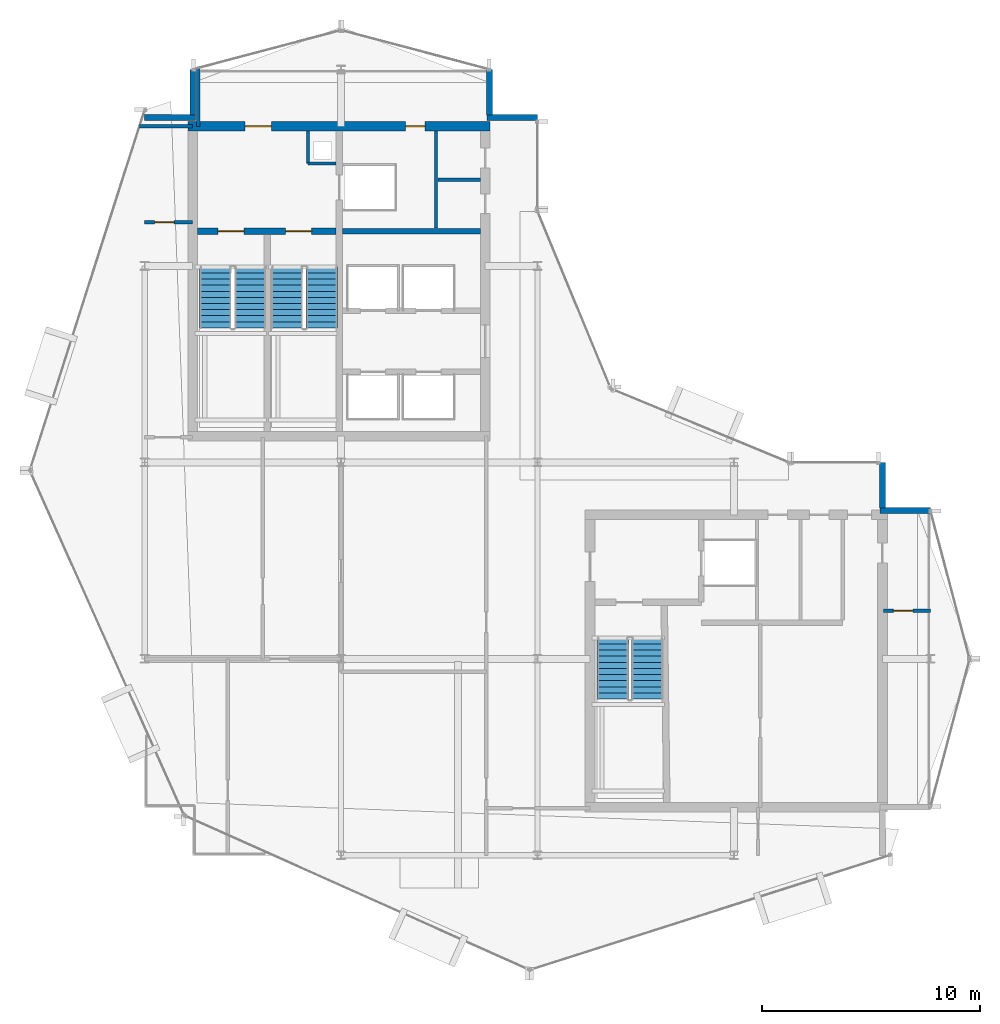
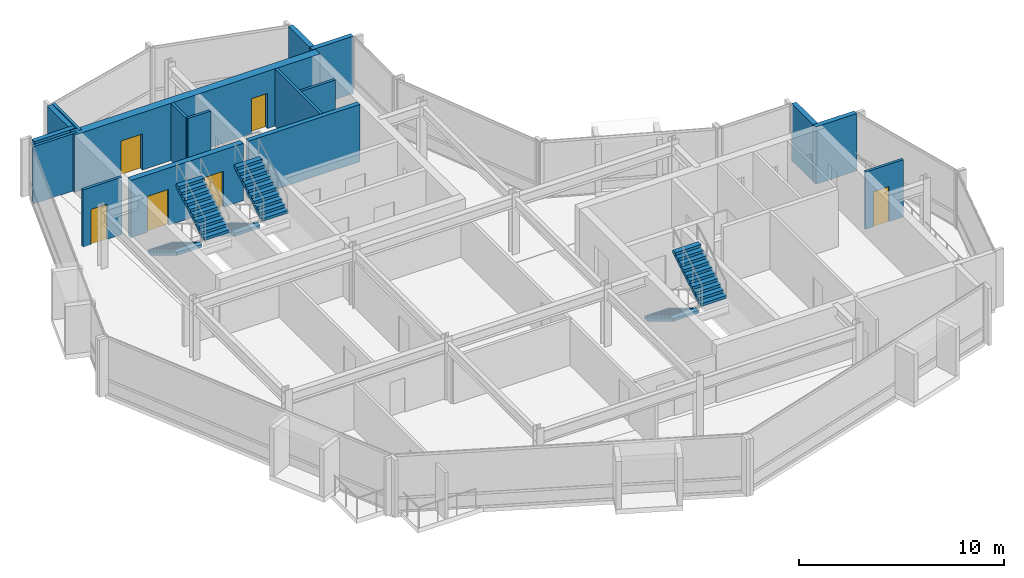
# One storey, part 15 of 19: 17 walls, 6 doors, 6 stair flights, 6 openings, 3 elements without a shape of their own.
"""IFC4 building model written with IfcOpenShell, lengths in metres."""

import ifcopenshell
import ifcopenshell.guid

model = None  # the IFC model being written
_history = None  # IfcOwnerHistory: only IFC2X3 demands one
_inside = {}  # id of a spatial element -> (the spatial element, [elements in it])
_under = {}  # id of a project, library or spatial element -> (it, [spatial elements below it])
_declared = {}  # id of a project -> (the project, [libraries it declares])
_typed = {}  # id of a type object -> (the type object, [elements of that type])
_made_of = {}  # id of a material, layer set ... -> (it, [elements and type objects made of it])


def new_model(schema):
    """Start an empty IFC model of exactly this schema.

    Asked for "IFC4X3", IfcOpenShell would pick the latest addendum, in which some entities
    have other attributes; the version numbers below select the first issue.
    IFC2X3 requires an IfcOwnerHistory on every rooted entity: one is made here for all.
    """
    global model, _history
    if schema == "IFC4X3":
        model = ifcopenshell.file(schema_version=(4, 3, 0, 0))
    else:
        model = ifcopenshell.file(schema=schema)
    _inside.clear()
    _under.clear()
    _declared.clear()
    _typed.clear()
    _made_of.clear()
    _history = None
    if model.schema == "IFC2X3":
        org = make("IfcOrganization", Name="unknown")
        user = make(
            "IfcPersonAndOrganization",
            ThePerson=make("IfcPerson", FamilyName="unknown"),
            TheOrganization=org,
        )
        app = make(
            "IfcApplication",
            ApplicationDeveloper=org,
            Version="unknown",
            ApplicationFullName="unknown",
            ApplicationIdentifier="unknown",
        )
        _history = make(
            "IfcOwnerHistory",
            OwningUser=user,
            OwningApplication=app,
            ChangeAction="ADDED",
            CreationDate=0,
        )
    return model


def make(cls, **values):
    """One entity of the class cls with the attributes given. An attribute that is None is left unset."""
    return model.create_entity(
        cls, **{name: value for name, value in values.items() if value is not None}
    )


def rooted(cls, **values):
    """An entity with a GlobalId (a new one), such as an element, a storey or a relation."""
    return make(cls, GlobalId=ifcopenshell.guid.new(), OwnerHistory=_history, **values)


def si_unit(unit_type, name, prefix=None):
    """IfcSIUnit, for example si_unit("LENGTHUNIT", "METRE", prefix="MILLI")."""
    return make("IfcSIUnit", UnitType=unit_type, Prefix=prefix, Name=name)


def assignment(units):
    """IfcUnitAssignment: the units of a project."""
    return None if units is None else make("IfcUnitAssignment", Units=units)


def point(xyz):
    """IfcCartesianPoint."""
    return None if xyz is None else make("IfcCartesianPoint", Coordinates=xyz)


def direction(xyz):
    """IfcDirection."""
    return None if xyz is None else make("IfcDirection", DirectionRatios=xyz)


def frame(location, z_axis=None, x_axis=None):
    """IfcAxis2Placement3D, a coordinate frame: its origin and axes. An axis left out is left unset."""
    return make(
        "IfcAxis2Placement3D",
        Location=point(location),
        Axis=direction(z_axis),
        RefDirection=direction(x_axis),
    )


def frame_2d(location, x_axis=None):
    """IfcAxis2Placement2D, a coordinate frame in the plane: its origin and x axis."""
    return make(
        "IfcAxis2Placement2D", Location=point(location), RefDirection=direction(x_axis)
    )


def origin():
    """The frame at (0, 0, 0) with its axes left unset."""
    return frame((0.0, 0.0, 0.0))


def place(relative_to, where):
    """IfcLocalPlacement: puts the frame where relative to a parent placement (None: the world)."""
    return make(
        "IfcLocalPlacement", PlacementRelTo=relative_to, RelativePlacement=where
    )


def context(
    kind, dimensions, precision=None, world=None, true_north=None, identifier=None
):
    """IfcGeometricRepresentationContext, for example the 3D "Model" context."""
    return make(
        "IfcGeometricRepresentationContext",
        ContextIdentifier=identifier,
        ContextType=kind,
        CoordinateSpaceDimension=dimensions,
        Precision=precision,
        WorldCoordinateSystem=world,
        TrueNorth=true_north,
    )


def subcontext(parent, identifier, kind, view, scale=None):
    """IfcGeometricRepresentationSubContext, for example "Body" below "Model"."""
    return make(
        "IfcGeometricRepresentationSubContext",
        ContextIdentifier=identifier,
        ContextType=kind,
        ParentContext=parent,
        TargetScale=scale,
        TargetView=view,
    )


def project(units=None, contexts=None):
    """IfcProject with its units and contexts."""
    return rooted(
        "IfcProject",
        Name="project",
        RepresentationContexts=contexts,
        UnitsInContext=assignment(units),
    )


def spatial(cls, under=None, at=None, **own):
    """A site, building, storey or space (cls), placed at a placement, below another one or the project."""
    s = rooted(cls, ObjectPlacement=at, **own)
    if under is not None:
        _under.setdefault(under.id(), (under, []))[1].append(s)
    return s


def polyline(points):
    """IfcPolyline through the points."""
    return make("IfcPolyline", Points=[point(p) for p in points])


def profile(cls, at=None, kind="AREA", **sizes):
    """A parametric profile (cls). Its sizes go by their IFC names, for example OverallWidth=200.0."""
    return make(cls, ProfileType=kind, Position=at, **sizes)


def rectangle(**sizes):
    """IfcRectangleProfileDef."""
    return profile("IfcRectangleProfileDef", **sizes)


def outline(outer, holes=None, kind="AREA"):
    """IfcArbitraryClosedProfileDef: a profile drawn as a closed curve; with holes, ...WithVoids."""
    if holes is None:
        return make("IfcArbitraryClosedProfileDef", ProfileType=kind, OuterCurve=outer)
    return make(
        "IfcArbitraryProfileDefWithVoids",
        ProfileType=kind,
        OuterCurve=outer,
        InnerCurves=holes,
    )


def extrude(swept, where, along, depth):
    """IfcExtrudedAreaSolid: the profile swept, set in the frame where, extruded along a direction by depth."""
    return make(
        "IfcExtrudedAreaSolid",
        SweptArea=swept,
        Position=where,
        ExtrudedDirection=direction(along),
        Depth=depth,
    )


def shape(context_of_items, identifier, shape_type, items):
    """IfcShapeRepresentation: the items that make up one representation, for example the "Body"."""
    return make(
        "IfcShapeRepresentation",
        ContextOfItems=context_of_items,
        RepresentationIdentifier=identifier,
        RepresentationType=shape_type,
        Items=items,
    )


def material(Name=None, Category=None):
    """IfcMaterial."""
    return make("IfcMaterial", Name=Name, Category=Category)


def layer(
    of_material, thickness, ventilated=None, Name=None, Category=None, Priority=None
):
    """IfcMaterialLayer: one layer of a wall or slab, of a material (None: an air gap)."""
    return make(
        "IfcMaterialLayer",
        Material=of_material,
        LayerThickness=thickness,
        IsVentilated=ventilated,
        Name=Name,
        Category=Category,
        Priority=Priority,
    )


def layer_set(layers, Name=None):
    """IfcMaterialLayerSet."""
    return make("IfcMaterialLayerSet", MaterialLayers=layers, LayerSetName=Name)


def made_of(thing, what):
    """Note that an element or type object is made of a material, layer set ...; save() writes the relation."""
    if what is not None:
        _made_of.setdefault(what.id(), (what, []))[1].append(thing)
    return thing


def type_object(cls, material=None, **own):
    """A type object (cls), such as IfcWallType, which elements share."""
    return made_of(rooted(cls, **own), material)


def element(
    cls,
    number,
    at=None,
    inside=None,
    cuts=None,
    type_object=None,
    material=None,
    context=None,
    identifier="Body",
    shape_type=None,
    held_by="IfcProductDefinitionShape",
    body=None,
    shapes=None,
    **own,
):
    """One element of the class cls, such as IfcWall. Its Tag is "e" and its number.

    at: its placement. inside: the storey or other place that contains it. cuts: it is an
    opening in that element (IfcRelVoidsElement). A single representation is given by context,
    identifier, shape_type and body (its items); several are given by shapes. held_by: the class
    of the entity that holds the representations. save() writes the other relations.
    """
    e = rooted(cls, Tag="e%d" % number, ObjectPlacement=at, **own)
    if body is not None:
        shapes = [shape(context, identifier, shape_type, body)]
    if shapes is not None:
        e.Representation = make(held_by, Representations=shapes)
    if inside is not None:
        _inside.setdefault(inside.id(), (inside, []))[1].append(e)
    if cuts is not None:
        rooted(
            "IfcRelVoidsElement", RelatingBuildingElement=cuts, RelatedOpeningElement=e
        )
    if type_object is not None:
        _typed.setdefault(type_object.id(), (type_object, []))[1].append(e)
    return made_of(e, material)


def fill(opening, filler):
    """IfcRelFillsElement: the door or window that sits in an opening."""
    return rooted(
        "IfcRelFillsElement",
        RelatingOpeningElement=opening,
        RelatedBuildingElement=filler,
    )


def aggregate(whole, parts):
    """IfcRelAggregates: a whole, such as a stair, and the parts it consists of."""
    return rooted("IfcRelAggregates", RelatingObject=whole, RelatedObjects=parts)


def save(model, path):
    """Write the relations noted so far, then the file.

    IfcRelAggregates (storeys below a building ...), IfcRelContainedInSpatialStructure (elements
    in a storey), IfcRelDefinesByType, IfcRelAssociatesMaterial and IfcRelDeclares: one each for
    every whole, place, type object, material and project.
    """
    for whole, parts in _under.values():
        aggregate(whole, parts)
    for where, things in _inside.values():
        rooted(
            "IfcRelContainedInSpatialStructure",
            RelatedElements=things,
            RelatingStructure=where,
        )
    for kind, things in _typed.values():
        rooted("IfcRelDefinesByType", RelatedObjects=things, RelatingType=kind)
    for what, things in _made_of.values():
        rooted("IfcRelAssociatesMaterial", RelatedObjects=things, RelatingMaterial=what)
    for by, libraries in _declared.values():
        rooted("IfcRelDeclares", RelatingContext=by, RelatedDefinitions=libraries)
    model.write(path)


model = new_model("IFC4")

# Units and contexts
model_context = context("Model", 3, precision=1e-05, world=origin(), true_north=direction((0.0, 1.0)))
body_context = subcontext(model_context, "Body", "Model", "MODEL_VIEW")
ifc_project = project(units=[si_unit("LENGTHUNIT", "METRE"), si_unit("AREAUNIT", "SQUARE_METRE"), si_unit("VOLUMEUNIT", "CUBIC_METRE"), si_unit("PLANEANGLEUNIT", "RADIAN"), si_unit("MASSUNIT", "GRAM", prefix="KILO")], contexts=[model_context])

# Site, building, storey
site_placement = place(None, origin())
site = spatial("IfcSite", under=ifc_project, at=site_placement, CompositionType="ELEMENT")
building_placement = place(site_placement, origin())
building = spatial("IfcBuilding", under=site, at=building_placement, Name="Solvaryn Broadcast Tower", CompositionType="ELEMENT")
storey_placement = place(building_placement, frame((0.0, 0.0, 277.800048828125)))
storey = spatial("IfcBuildingStorey", under=building, at=storey_placement, Name="L70", CompositionType="ELEMENT", Elevation=277.800048828125)

# Wall, openings, doors
ifc_material_1 = material(Name="Concrete f'c 70 MPa", Category="concrete")
ifc_layer_1 = layer(ifc_material_1, 0.449951171875)
ifc_layer_set_1 = layer_set([ifc_layer_1], Name="CW-SHEAR-450")
wall_type_1 = type_object("IfcWallType", Name="CW-SHEAR-450", PredefinedType="SHEAR", material=ifc_layer_set_1)
wall_1_placement = place(storey_placement, frame((24.824951171875, 42.39990234375, 0.0), z_axis=(0.0, 0.0, 1.0), x_axis=(-1.0, 0.0, 0.0)))
wall_1 = element("IfcWall", 1, at=wall_1_placement, inside=storey, type_object=wall_type_1, Name="L70 West Core North Shear Wall", PredefinedType="SHEAR", context=body_context, shape_type="SweptSolid", body=[
    extrude(rectangle(XDim=13.849853515625, YDim=0.449951171875, at=frame_2d((6.9248046875, 0.0))), origin(), (0.0, 0.0, 1.0), 3.419921875),
])
opening_1_placement = place(wall_1_placement, frame((10.02490234375, 0.0, 0.0)))
opening_1 = element("IfcOpeningElement", 2, at=opening_1_placement, cuts=wall_1, Name="Opening FD90A", PredefinedType="OPENING", context=body_context, shape_type="SweptSolid", body=[
    extrude(rectangle(XDim=1.199951171875, YDim=2.14990234375, at=frame_2d((0.60009765625, 1.074951171875))), frame((0.0, 0.235107421875, 0.0), z_axis=(0.0, -1.0, 0.0), x_axis=(1.0, 0.0, 0.0)), (0.0, 0.0, 1.0), 0.469970703125),
])
opening_2_placement = place(wall_1_placement, frame((2.97509765625, 0.0, 0.0)))
opening_2 = element("IfcOpeningElement", 3, at=opening_2_placement, cuts=wall_1, Name="Opening FD60C", PredefinedType="OPENING", context=body_context, shape_type="SweptSolid", body=[
    extrude(rectangle(XDim=0.89990234375, YDim=2.10009765625, at=frame_2d((0.449951171875, 1.050048828125))), frame((0.0, 0.235107421875, 0.0), z_axis=(0.0, -1.0, 0.0), x_axis=(1.0, 0.0, 0.0)), (0.0, 0.0, 1.0), 0.469970703125),
])
ifc_material_2 = material(Name="Flush Acoustic Steel and Timber Door Assembly", Category="steel")
door_type_1 = type_object("IfcDoorType", Name="FD60-SERV-900X2100", OperationType="NOTDEFINED", PredefinedType="DOOR", material=ifc_material_2)
door_1_placement = place(opening_2_placement, origin())
door_1 = element("IfcDoor", 4, at=door_1_placement, inside=storey, type_object=door_type_1, Name="L70 West Core Fiber Riser Door", OperationType="SINGLE_SWING_RIGHT", OverallHeight=2.10009765625, OverallWidth=0.89990234375, PredefinedType="DOOR", context=body_context, shape_type="SweptSolid", body=[
    extrude(rectangle(XDim=0.89990234375, YDim=2.10009765625, at=frame_2d((0.449951171875, 1.050048828125))), frame((0.0, 0.02490234375, 0.0), z_axis=(0.0, -1.0, 0.0), x_axis=(1.0, 0.0, 0.0)), (0.0, 0.0, 1.0), 0.050048828125),
])
fill(opening_2, door_1)
ifc_material_3 = material(Name="Flush Acoustic Steel and Timber Door Assembly", Category="steel")
door_type_2 = type_object("IfcDoorType", Name="FD90-STAIR-1200X2150", OperationType="NOTDEFINED", PredefinedType="DOOR", material=ifc_material_3)
door_2_placement = place(opening_1_placement, origin())
door_2 = element("IfcDoor", 5, at=door_2_placement, inside=storey, type_object=door_type_2, Name="L70 West FSAE Lobby Corridor Door", OperationType="SINGLE_SWING_LEFT", OverallHeight=2.14990234375, OverallWidth=1.199951171875, PredefinedType="DOOR", context=body_context, shape_type="SweptSolid", body=[
    extrude(rectangle(XDim=1.199951171875, YDim=2.14990234375, at=frame_2d((0.60009765625, 1.074951171875))), frame((0.0, 0.02490234375, 0.0), z_axis=(0.0, -1.0, 0.0), x_axis=(1.0, 0.0, 0.0)), (0.0, 0.0, 1.0), 0.050048828125),
])
fill(opening_1, door_2)

# Walls
ifc_material_4 = material(Name="Concrete f'c 50 MPa", Category="concrete")
ifc_layer_2 = layer(ifc_material_4, 0.260009765625)
ifc_layer_set_2 = layer_set([ifc_layer_2], Name="EW-PIER-260")
wall_type_2 = type_object("IfcWallType", Name="EW-PIER-260", PredefinedType="SOLIDWALL", material=ifc_layer_set_2)
wall_2_placement = place(storey_placement, frame((9.0, 42.800048828125, 0.0), z_axis=(0.0, 0.0, 1.0), x_axis=(1.0, 0.0, 0.0)))
element("IfcWall", 6, at=wall_2_placement, inside=storey, type_object=wall_type_2, Name="L70 Notched Corner Pier Wall NNW1", PredefinedType="SOLIDWALL", context=body_context, shape_type="SweptSolid", body=[
    extrude(rectangle(XDim=2.320068359375, YDim=0.260009765625, at=frame_2d((1.16015625, 0.0))), origin(), (0.0, 0.0, 1.0), 3.419921875),
])
for number, where, z_axis, x_axis, name in (
    (7, (11.199951171875, 42.919921875, 0.0), (0.0, 0.0, 1.0), (0.0, 1.0, 0.0), "L70 Notched Corner Pier Wall NNW2"),
    (8, (24.800048828125, 45.0, 0.0), (0.0, 0.0, 1.0), (0.0, -1.0, 0.0), "L70 Notched Corner Pier Wall NNE1"),
):
    element("IfcWall", number, at=place(storey_placement, frame(where, z_axis=z_axis, x_axis=x_axis)), inside=storey, type_object=wall_type_2, Name=name, PredefinedType="SOLIDWALL", context=body_context, shape_type="SweptSolid", body=[
        extrude(rectangle(XDim=2.080078125, YDim=0.260009765625, at=frame_2d((1.0400390625, 0.0))), origin(), (0.0, 0.0, 1.0), 3.419921875),
    ])
for number, where, z_axis, x_axis, name in (
    (9, (24.679931640625, 42.800048828125, 0.0), (0.0, 0.0, 1.0), (1.0, 0.0, 0.0), "L70 Notched Corner Pier Wall NNE2"),
    (10, (45.0, 24.800048828125, 0.0), (0.0, 0.0, 1.0), (-1.0, 0.0, 0.0), "L70 Notched Corner Pier Wall NEE1"),
):
    element("IfcWall", number, at=place(storey_placement, frame(where, z_axis=z_axis, x_axis=x_axis)), inside=storey, type_object=wall_type_2, Name=name, PredefinedType="SOLIDWALL", context=body_context, shape_type="SweptSolid", body=[
        extrude(rectangle(XDim=2.320068359375, YDim=0.260009765625, at=frame_2d((1.16015625, 0.0))), origin(), (0.0, 0.0, 1.0), 3.419921875),
    ])
wall_3_placement = place(storey_placement, frame((42.800048828125, 24.919921875, 0.0), z_axis=(0.0, 0.0, 1.0), x_axis=(0.0, 1.0, 0.0)))
element("IfcWall", 11, at=wall_3_placement, inside=storey, type_object=wall_type_2, Name="L70 Notched Corner Pier Wall NEE2", PredefinedType="SOLIDWALL", context=body_context, shape_type="SweptSolid", body=[
    extrude(rectangle(XDim=2.080078125, YDim=0.260009765625, at=frame_2d((1.0400390625, 0.0))), origin(), (0.0, 0.0, 1.0), 3.419921875),
])
ifc_material_5 = material(Name="Metal-Stud Service Core Partition")
ifc_layer_3 = layer(ifc_material_5, 0.14990234375)
ifc_layer_set_3 = layer_set([ifc_layer_3], Name="IW-PART-150")
wall_type_3 = type_object("IfcWallType", Name="IW-PART-150", PredefinedType="PARTITIONING", material=ifc_layer_set_3)
wall_4_placement = place(storey_placement, frame((16.47998046875, 40.699951171875, 0.0), z_axis=(0.0, 0.0, 1.0), x_axis=(1.0, 0.0, 0.0)))
element("IfcWall", 12, at=wall_4_placement, inside=storey, type_object=wall_type_3, Name="L70 West Core Riser Shaft South Wall", PredefinedType="PARTITIONING", context=body_context, shape_type="SweptSolid", body=[
    extrude(rectangle(XDim=1.2900390625, YDim=0.14990234375, at=frame_2d((0.64501953125, 0.0))), origin(), (0.0, 0.0, 1.0), 3.419921875),
])
wall_5_placement = place(storey_placement, frame((16.47998046875, 40.699951171875, 0.0), z_axis=(0.0, 0.0, 1.0), x_axis=(0.0, 1.0, 0.0)))
element("IfcWall", 13, at=wall_5_placement, inside=storey, type_object=wall_type_3, Name="L70 West Core Riser Shaft West Wall", PredefinedType="PARTITIONING", context=body_context, shape_type="SweptSolid", body=[
    extrude(rectangle(XDim=1.47509765625, YDim=0.14990234375, at=frame_2d((0.737548828125, 0.0))), origin(), (0.0, 0.0, 1.0), 3.419921875),
])
wall_6_placement = place(storey_placement, frame((22.35009765625, 37.72998046875, 0.0), z_axis=(0.0, 0.0, 1.0), x_axis=(0.0, 1.0, 0.0)))
element("IfcWall", 14, at=wall_6_placement, inside=storey, type_object=wall_type_3, Name="L70 Interior Partition IW-L70-CWS-V", PredefinedType="PARTITIONING", context=body_context, shape_type="SweptSolid", body=[
    extrude(rectangle(XDim=4.445068359375, YDim=0.14990234375, at=frame_2d((2.22265625, 0.0))), origin(), (0.0, 0.0, 1.0), 3.419921875),
])
wall_7_placement = place(storey_placement, frame((22.429931640625, 39.949951171875, 0.0), z_axis=(0.0, 0.0, 1.0), x_axis=(1.0, 0.0, 0.0)))
element("IfcWall", 15, at=wall_7_placement, inside=storey, type_object=wall_type_3, Name="L70 Interior Partition IW-L70-CWS-H", PredefinedType="PARTITIONING", context=body_context, shape_type="SweptSolid", body=[
    extrude(rectangle(XDim=1.945068359375, YDim=0.14990234375, at=frame_2d((0.97265625, 0.0))), origin(), (0.0, 0.0, 1.0), 3.419921875),
])

# Wall, opening, door
wall_8_placement = place(storey_placement, frame((9.0, 38.0, 0.0), z_axis=(0.0, 0.0, 1.0), x_axis=(1.0, 0.0, 0.0)))
wall_8 = element("IfcWall", 16, at=wall_8_placement, inside=storey, type_object=wall_type_3, Name="L70 Interior Partition IW-L70-WM-M", PredefinedType="PARTITIONING", context=body_context, shape_type="SweptSolid", body=[
    extrude(rectangle(XDim=2.199951171875, YDim=0.14990234375, at=frame_2d((1.10009765625, 0.0))), origin(), (0.0, 0.0, 1.0), 3.419921875),
])
opening_3_placement = place(wall_8_placement, frame((0.449951171875, 0.0, 0.0)))
opening_3 = element("IfcOpeningElement", 17, at=opening_3_placement, cuts=wall_8, Name="Opening FD60C", PredefinedType="OPENING", context=body_context, shape_type="SweptSolid", body=[
    extrude(rectangle(XDim=0.89990234375, YDim=2.10009765625, at=frame_2d((0.449951171875, 1.050048828125))), frame((0.0, 0.0849609375, 0.0), z_axis=(0.0, -1.0, 0.0), x_axis=(1.0, 0.0, 0.0)), (0.0, 0.0, 1.0), 0.169921875),
])
door_3_placement = place(opening_3_placement, origin())
door_3 = element("IfcDoor", 18, at=door_3_placement, inside=storey, type_object=door_type_1, Name="L70 Door DR-L70-WM1", OperationType="SINGLE_SWING_LEFT", OverallHeight=2.10009765625, OverallWidth=0.89990234375, PredefinedType="DOOR", context=body_context, shape_type="SweptSolid", body=[
    extrude(rectangle(XDim=0.89990234375, YDim=2.10009765625, at=frame_2d((0.449951171875, 1.050048828125))), frame((0.0, 0.02490234375, 0.0), z_axis=(0.0, -1.0, 0.0), x_axis=(1.0, 0.0, 0.0)), (0.0, 0.0, 1.0), 0.050048828125),
])
fill(opening_3, door_3)

wall_9_placement = place(storey_placement, frame((42.85009765625, 20.199951171875, 0.0), z_axis=(0.0, 0.0, 1.0), x_axis=(1.0, 0.0, 0.0)))
wall_9 = element("IfcWall", 19, at=wall_9_placement, inside=storey, type_object=wall_type_3, Name="L70 Interior Partition IW-L70-E4M", PredefinedType="PARTITIONING", context=body_context, shape_type="SweptSolid", body=[
    extrude(rectangle(XDim=2.14990234375, YDim=0.14990234375, at=frame_2d((1.074951171875, 0.0))), origin(), (0.0, 0.0, 1.0), 3.419921875),
])
opening_4_placement = place(wall_9_placement, frame((0.449951171875, 0.0, 0.0)))
opening_4 = element("IfcOpeningElement", 20, at=opening_4_placement, cuts=wall_9, Name="Opening FD60C", PredefinedType="OPENING", context=body_context, shape_type="SweptSolid", body=[
    extrude(rectangle(XDim=0.89990234375, YDim=2.10009765625, at=frame_2d((0.449951171875, 1.050048828125))), frame((0.0, 0.0849609375, 0.0), z_axis=(0.0, -1.0, 0.0), x_axis=(1.0, 0.0, 0.0)), (0.0, 0.0, 1.0), 0.169921875),
])
door_4_placement = place(opening_4_placement, origin())
door_4 = element("IfcDoor", 21, at=door_4_placement, inside=storey, type_object=door_type_1, Name="L70 Door DR-L70-E4M", OperationType="SINGLE_SWING_RIGHT", OverallHeight=2.10009765625, OverallWidth=0.89990234375, PredefinedType="DOOR", context=body_context, shape_type="SweptSolid", body=[
    extrude(rectangle(XDim=0.89990234375, YDim=2.10009765625, at=frame_2d((0.449951171875, 1.050048828125))), frame((0.0, 0.02490234375, 0.0), z_axis=(0.0, -1.0, 0.0), x_axis=(1.0, 0.0, 0.0)), (0.0, 0.0, 1.0), 0.050048828125),
])
fill(opening_4, door_4)

# Walls
ifc_material_6 = material(Name="Metal-Stud Gypsum Office Partition")
ifc_layer_4 = layer(ifc_material_6, 0.159912109375)
ifc_layer_set_4 = layer_set([ifc_layer_4], Name="IW-PART-160")
wall_type_4 = type_object("IfcWallType", Name="IW-PART-160", PredefinedType="PARTITIONING", material=ifc_layer_set_4)
wall_10_placement = place(storey_placement, frame((8.760986328125, 42.39990234375, 0.0), z_axis=(0.0, 0.0, 1.0), x_axis=(1.0, 0.0, 0.0)))
element("IfcWall", 22, at=wall_10_placement, inside=storey, type_object=wall_type_4, Name="L70 Interior Partition IW-L70-WM-N", PredefinedType="PARTITIONING", context=body_context, shape_type="SweptSolid", body=[
    extrude(rectangle(XDim=2.43896484375, YDim=0.159912109375, at=frame_2d((1.219482421875, 0.0))), origin(), (0.0, 0.0, 1.0), 3.419921875),
])
wall_11_placement = place(storey_placement, frame((11.449951171875, 42.39990234375, 0.0), z_axis=(0.0, 0.0, 1.0), x_axis=(0.0, 1.0, 0.0)))
element("IfcWall", 23, at=wall_11_placement, inside=storey, type_object=wall_type_4, Name="L70 Interior Partition IW-L70-WM-E", PredefinedType="PARTITIONING", context=body_context, shape_type="SweptSolid", body=[
    extrude(rectangle(XDim=2.666015625, YDim=0.159912109375, at=frame_2d((1.3330078125, 0.0))), origin(), (0.0, 0.0, 1.0), 3.419921875),
])
ifc_material_7 = material(Name="Concrete f'c 60 MPa", Category="concrete")
ifc_layer_5 = layer(ifc_material_7, 0.25)
ifc_layer_set_5 = layer_set([ifc_layer_5], Name="SW-SHAFT-250")
wall_type_5 = type_object("IfcWallType", Name="SW-SHAFT-250", PredefinedType="PARTITIONING", material=ifc_layer_set_5)
wall_12_placement = place(storey_placement, frame((18.070068359375, 37.60009765625, 0.0), z_axis=(0.0, 0.0, 1.0), x_axis=(1.0, 0.0, 0.0)))
element("IfcWall", 24, at=wall_12_placement, inside=storey, type_object=wall_type_5, Name="L70 West Core FSAE Hoistway Front Wall", PredefinedType="PARTITIONING", context=body_context, shape_type="SweptSolid", body=[
    extrude(rectangle(XDim=6.304931640625, YDim=0.25, at=frame_2d((3.15234375, 0.0))), origin(), (0.0, 0.0, 1.0), 3.419921875),
])

# Wall, openings, doors
ifc_material_8 = material(Name="Concrete f'c 70 MPa", Category="concrete")
ifc_layer_6 = layer(ifc_material_8, 0.300048828125)
ifc_layer_set_6 = layer_set([ifc_layer_6], Name="SW-SHAFT-300")
wall_type_6 = type_object("IfcWallType", Name="SW-SHAFT-300", PredefinedType="SHEAR", material=ifc_layer_set_6)
wall_13_placement = place(storey_placement, frame((17.77001953125, 37.60009765625, 0.0), z_axis=(0.0, 0.0, 1.0), x_axis=(-1.0, 0.0, 0.0)))
wall_13 = element("IfcWall", 25, at=wall_13_placement, inside=storey, type_object=wall_type_6, Name="L70 West Core FSAE Lobby South Wall", PredefinedType="SHEAR", context=body_context, shape_type="SweptSolid", body=[
    extrude(rectangle(XDim=6.344970703125, YDim=0.300048828125, at=frame_2d((3.17236328125, 0.0))), origin(), (0.0, 0.0, 1.0), 3.419921875),
])
opening_5_placement = place(wall_13_placement, frame((4.219970703125, 0.0, 0.0)))
opening_5 = element("IfcOpeningElement", 26, at=opening_5_placement, cuts=wall_13, Name="Opening FD90A", PredefinedType="OPENING", context=body_context, shape_type="SweptSolid", body=[
    extrude(rectangle(XDim=1.199951171875, YDim=2.14990234375, at=frame_2d((0.60009765625, 1.074951171875))), frame((0.0, 0.159912109375, 0.0), z_axis=(0.0, -1.0, 0.0), x_axis=(1.0, 0.0, 0.0)), (0.0, 0.0, 1.0), 0.320068359375),
])
opening_6_placement = place(wall_13_placement, frame((1.1201171875, 0.0, 0.0)))
opening_6 = element("IfcOpeningElement", 27, at=opening_6_placement, cuts=wall_13, Name="Opening FD90A", PredefinedType="OPENING", context=body_context, shape_type="SweptSolid", body=[
    extrude(rectangle(XDim=1.199951171875, YDim=2.14990234375, at=frame_2d((0.60009765625, 1.074951171875))), frame((0.0, 0.159912109375, 0.0), z_axis=(0.0, -1.0, 0.0), x_axis=(1.0, 0.0, 0.0)), (0.0, 0.0, 1.0), 0.320068359375),
])
door_5_placement = place(opening_5_placement, origin())
door_5 = element("IfcDoor", 28, at=door_5_placement, inside=storey, type_object=door_type_2, Name="L70 Stair 1 Fire Door", OperationType="SINGLE_SWING_LEFT", OverallHeight=2.14990234375, OverallWidth=1.199951171875, PredefinedType="DOOR", context=body_context, shape_type="SweptSolid", body=[
    extrude(rectangle(XDim=1.199951171875, YDim=2.14990234375, at=frame_2d((0.60009765625, 1.074951171875))), frame((0.0, 0.02490234375, 0.0), z_axis=(0.0, -1.0, 0.0), x_axis=(1.0, 0.0, 0.0)), (0.0, 0.0, 1.0), 0.050048828125),
])
fill(opening_5, door_5)
door_6_placement = place(opening_6_placement, origin())
door_6 = element("IfcDoor", 29, at=door_6_placement, inside=storey, type_object=door_type_2, Name="L70 Stair 2 Fire Door", OperationType="SINGLE_SWING_RIGHT", OverallHeight=2.14990234375, OverallWidth=1.199951171875, PredefinedType="DOOR", context=body_context, shape_type="SweptSolid", body=[
    extrude(rectangle(XDim=1.199951171875, YDim=2.14990234375, at=frame_2d((0.60009765625, 1.074951171875))), frame((0.0, 0.02490234375, 0.0), z_axis=(0.0, -1.0, 0.0), x_axis=(1.0, 0.0, 0.0)), (0.0, 0.0, 1.0), 0.050048828125),
])
fill(opening_6, door_6)

# Stair, stair flights
ifc_material_9 = material(Name="Concrete f'c 60 MPa", Category="concrete")
stair_type = type_object("IfcStairType", Name="ST-CORE", PredefinedType="HALF_TURN_STAIR", material=ifc_material_9)
stair_1_placement = place(storey_placement, origin())
stair_1 = element("IfcStair", 30, at=stair_1_placement, inside=storey, type_object=stair_type, Name="L70 ST1", PredefinedType="HALF_TURN_STAIR")
ifc_material_10 = material(Name="Concrete f'c 60 MPa", Category="concrete")
ifc_layer_7 = layer(ifc_material_10, 0.159912109375)
ifc_layer_set_7 = layer_set([ifc_layer_7], Name="SF-CORE")
stair_flight_type = type_object("IfcStairFlightType", Name="SF-CORE", PredefinedType="STRAIGHT", material=ifc_layer_set_7)
stair_flight_1_placement = place(storey_placement, frame((12.239990234375, 35.9599609375, 0.0), z_axis=(0.0, 0.0, 1.0), x_axis=(0.0, -1.0, 0.0)))
stair_flight_1 = element("IfcStairFlight", 31, at=stair_flight_1_placement, type_object=stair_flight_type, Name="ST1 flight 1", NumberOfRisers=11, NumberOfTreads=10, PredefinedType="STRAIGHT", RiserHeight=0.168181818, TreadLength=0.28, context=body_context, shape_type="SweptSolid", body=[
    extrude(outline(polyline([(0.0, 0.0), (0.0, 0.168212890625), (0.280029296875, 0.168212890625), (0.280029296875, 0.33642578125), (0.56005859375, 0.33642578125), (0.56005859375, 0.504638671875), (0.840087890625, 0.504638671875), (0.840087890625, 0.672607421875), (1.1201171875, 0.672607421875), (1.1201171875, 0.8408203125), (1.39990234375, 0.8408203125), (1.39990234375, 1.009033203125), (1.679931640625, 1.009033203125), (1.679931640625, 1.17724609375), (1.9599609375, 1.17724609375), (1.9599609375, 1.345458984375), (2.239990234375, 1.345458984375), (2.239990234375, 1.513671875), (2.52001953125, 1.513671875), (2.52001953125, 1.681884765625), (2.800048828125, 1.681884765625), (2.800048828125, 1.85009765625), (2.800048828125, 1.5068359375), (0.291015625, 0.0), (0.0, 0.0)])), frame((0.0, 0.719970703125, 0.0), z_axis=(0.0, -1.0, 0.0), x_axis=(1.0, 0.0, 0.0)), (0.0, 0.0, 1.0), 1.43994140625),
])
stair_flight_2_placement = place(storey_placement, frame((13.830078125, 33.159912109375, 1.849853515625), z_axis=(0.0, 0.0, 1.0), x_axis=(0.0, 1.0, 0.0)))
stair_flight_2 = element("IfcStairFlight", 32, at=stair_flight_2_placement, type_object=stair_flight_type, Name="ST1 flight 2", NumberOfRisers=11, NumberOfTreads=10, PredefinedType="STRAIGHT", RiserHeight=0.168181818, TreadLength=0.28, context=body_context, shape_type="SweptSolid", body=[
    extrude(outline(polyline([(0.0, 0.0), (0.0, 0.168212890625), (0.280029296875, 0.168212890625), (0.280029296875, 0.33642578125), (0.56005859375, 0.33642578125), (0.56005859375, 0.504638671875), (0.840087890625, 0.504638671875), (0.840087890625, 0.672607421875), (1.1201171875, 0.672607421875), (1.1201171875, 0.8408203125), (1.39990234375, 0.8408203125), (1.39990234375, 1.009033203125), (1.679931640625, 1.009033203125), (1.679931640625, 1.17724609375), (1.9599609375, 1.17724609375), (1.9599609375, 1.345458984375), (2.239990234375, 1.345458984375), (2.239990234375, 1.513671875), (2.52001953125, 1.513671875), (2.52001953125, 1.681884765625), (2.800048828125, 1.681884765625), (2.800048828125, 1.85009765625), (2.800048828125, 1.5068359375), (0.291015625, 0.0), (0.0, 0.0)])), frame((0.0, 0.719970703125, 0.0), z_axis=(0.0, -1.0, 0.0), x_axis=(1.0, 0.0, 0.0)), (0.0, 0.0, 1.0), 1.43994140625),
])
aggregate(stair_1, [stair_flight_1, stair_flight_2])

stair_2_placement = place(storey_placement, origin())
stair_2 = element("IfcStair", 33, at=stair_2_placement, inside=storey, type_object=stair_type, Name="L70 ST2", PredefinedType="HALF_TURN_STAIR")
stair_flight_3_placement = place(storey_placement, frame((15.52001953125, 35.9599609375, 0.0), z_axis=(0.0, 0.0, 1.0), x_axis=(0.0, -1.0, 0.0)))
stair_flight_3 = element("IfcStairFlight", 34, at=stair_flight_3_placement, type_object=stair_flight_type, Name="ST2 flight 1", NumberOfRisers=11, NumberOfTreads=10, PredefinedType="STRAIGHT", RiserHeight=0.168181818, TreadLength=0.28, context=body_context, shape_type="SweptSolid", body=[
    extrude(outline(polyline([(0.0, 0.0), (0.0, 0.168212890625), (0.280029296875, 0.168212890625), (0.280029296875, 0.33642578125), (0.56005859375, 0.33642578125), (0.56005859375, 0.504638671875), (0.840087890625, 0.504638671875), (0.840087890625, 0.672607421875), (1.1201171875, 0.672607421875), (1.1201171875, 0.8408203125), (1.39990234375, 0.8408203125), (1.39990234375, 1.009033203125), (1.679931640625, 1.009033203125), (1.679931640625, 1.17724609375), (1.9599609375, 1.17724609375), (1.9599609375, 1.345458984375), (2.239990234375, 1.345458984375), (2.239990234375, 1.513671875), (2.52001953125, 1.513671875), (2.52001953125, 1.681884765625), (2.800048828125, 1.681884765625), (2.800048828125, 1.85009765625), (2.800048828125, 1.5068359375), (0.291015625, 0.0), (0.0, 0.0)])), frame((0.0, 0.719970703125, 0.0), z_axis=(0.0, -1.0, 0.0), x_axis=(1.0, 0.0, 0.0)), (0.0, 0.0, 1.0), 1.43994140625),
])
stair_flight_4_placement = place(storey_placement, frame((17.110107421875, 33.159912109375, 1.849853515625), z_axis=(0.0, 0.0, 1.0), x_axis=(0.0, 1.0, 0.0)))
stair_flight_4 = element("IfcStairFlight", 35, at=stair_flight_4_placement, type_object=stair_flight_type, Name="ST2 flight 2", NumberOfRisers=11, NumberOfTreads=10, PredefinedType="STRAIGHT", RiserHeight=0.168181818, TreadLength=0.28, context=body_context, shape_type="SweptSolid", body=[
    extrude(outline(polyline([(0.0, 0.0), (0.0, 0.168212890625), (0.280029296875, 0.168212890625), (0.280029296875, 0.33642578125), (0.56005859375, 0.33642578125), (0.56005859375, 0.504638671875), (0.840087890625, 0.504638671875), (0.840087890625, 0.672607421875), (1.1201171875, 0.672607421875), (1.1201171875, 0.8408203125), (1.39990234375, 0.8408203125), (1.39990234375, 1.009033203125), (1.679931640625, 1.009033203125), (1.679931640625, 1.17724609375), (1.9599609375, 1.17724609375), (1.9599609375, 1.345458984375), (2.239990234375, 1.345458984375), (2.239990234375, 1.513671875), (2.52001953125, 1.513671875), (2.52001953125, 1.681884765625), (2.800048828125, 1.681884765625), (2.800048828125, 1.85009765625), (2.800048828125, 1.5068359375), (0.291015625, 0.0), (0.0, 0.0)])), frame((0.0, 0.719970703125, 0.0), z_axis=(0.0, -1.0, 0.0), x_axis=(1.0, 0.0, 0.0)), (0.0, 0.0, 1.0), 1.43994140625),
])
aggregate(stair_2, [stair_flight_3, stair_flight_4])

stair_3_placement = place(storey_placement, origin())
stair_3 = element("IfcStair", 36, at=stair_3_placement, inside=storey, type_object=stair_type, Name="L70 ST3", PredefinedType="HALF_TURN_STAIR")
stair_flight_5_placement = place(storey_placement, frame((30.43994140625, 18.9599609375, 0.0), z_axis=(0.0, 0.0, 1.0), x_axis=(0.0, -1.0, 0.0)))
stair_flight_5 = element("IfcStairFlight", 37, at=stair_flight_5_placement, type_object=stair_flight_type, Name="ST3 flight 1", NumberOfRisers=11, NumberOfTreads=10, PredefinedType="STRAIGHT", RiserHeight=0.168181818, TreadLength=0.28, context=body_context, shape_type="SweptSolid", body=[
    extrude(outline(polyline([(0.0, 0.0), (0.0, 0.168212890625), (0.280029296875, 0.168212890625), (0.280029296875, 0.33642578125), (0.56005859375, 0.33642578125), (0.56005859375, 0.504638671875), (0.840087890625, 0.504638671875), (0.840087890625, 0.672607421875), (1.1201171875, 0.672607421875), (1.1201171875, 0.8408203125), (1.39990234375, 0.8408203125), (1.39990234375, 1.009033203125), (1.679931640625, 1.009033203125), (1.679931640625, 1.17724609375), (1.9599609375, 1.17724609375), (1.9599609375, 1.345458984375), (2.239990234375, 1.345458984375), (2.239990234375, 1.513671875), (2.52001953125, 1.513671875), (2.52001953125, 1.681884765625), (2.800048828125, 1.681884765625), (2.800048828125, 1.85009765625), (2.800048828125, 1.5068359375), (0.291015625, 0.0), (0.0, 0.0)])), frame((0.0, 0.719970703125, 0.0), z_axis=(0.0, -1.0, 0.0), x_axis=(1.0, 0.0, 0.0)), (0.0, 0.0, 1.0), 1.43994140625),
])
stair_flight_6_placement = place(storey_placement, frame((32.030029296875, 16.159912109375, 1.849853515625), z_axis=(0.0, 0.0, 1.0), x_axis=(0.0, 1.0, 0.0)))
stair_flight_6 = element("IfcStairFlight", 38, at=stair_flight_6_placement, type_object=stair_flight_type, Name="ST3 flight 2", NumberOfRisers=11, NumberOfTreads=10, PredefinedType="STRAIGHT", RiserHeight=0.168181818, TreadLength=0.28, context=body_context, shape_type="SweptSolid", body=[
    extrude(outline(polyline([(0.0, 0.0), (0.0, 0.168212890625), (0.280029296875, 0.168212890625), (0.280029296875, 0.33642578125), (0.56005859375, 0.33642578125), (0.56005859375, 0.504638671875), (0.840087890625, 0.504638671875), (0.840087890625, 0.672607421875), (1.1201171875, 0.672607421875), (1.1201171875, 0.8408203125), (1.39990234375, 0.8408203125), (1.39990234375, 1.009033203125), (1.679931640625, 1.009033203125), (1.679931640625, 1.17724609375), (1.9599609375, 1.17724609375), (1.9599609375, 1.345458984375), (2.239990234375, 1.345458984375), (2.239990234375, 1.513671875), (2.52001953125, 1.513671875), (2.52001953125, 1.681884765625), (2.800048828125, 1.681884765625), (2.800048828125, 1.85009765625), (2.800048828125, 1.5068359375), (0.291015625, 0.0), (0.0, 0.0)])), frame((0.0, 0.719970703125, 0.0), z_axis=(0.0, -1.0, 0.0), x_axis=(1.0, 0.0, 0.0)), (0.0, 0.0, 1.0), 1.43994140625),
])
aggregate(stair_3, [stair_flight_5, stair_flight_6])

save(model, "model.ifc")
